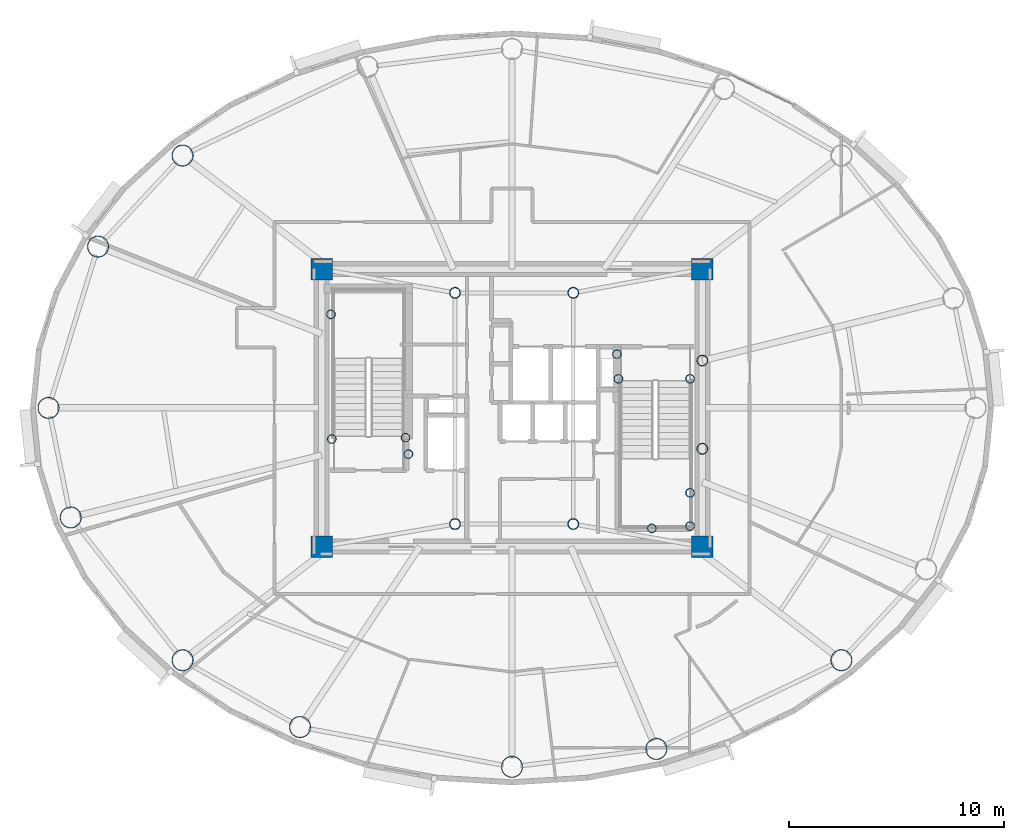
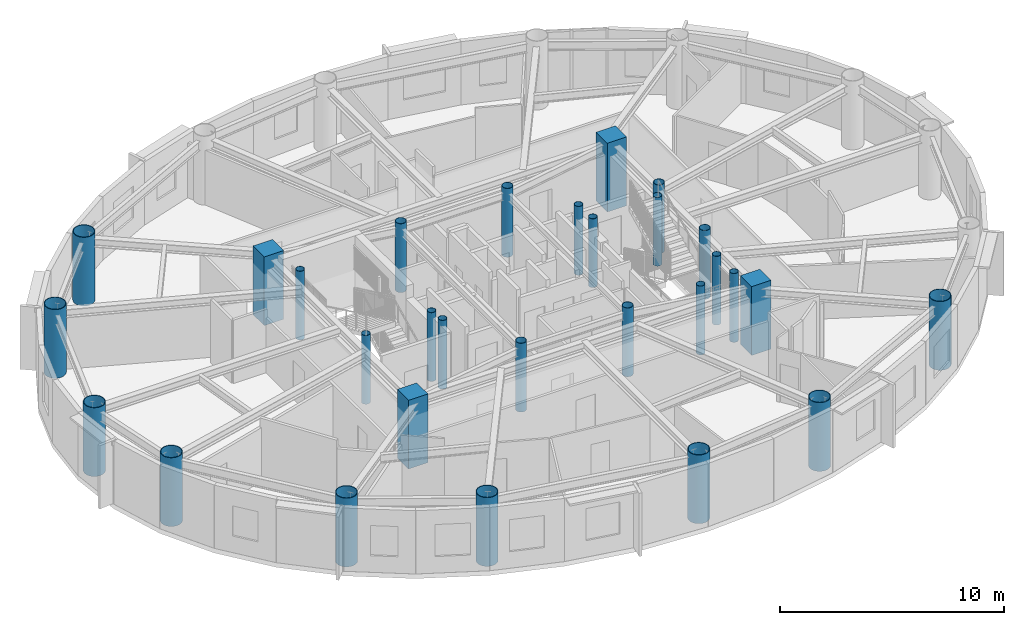
# One storey, part 1 of 17: 29 columns.
"""IFC4 building model written with IfcOpenShell, lengths in metres."""

from ifc_helpers import new_model, si_unit, direction, frame, origin, origin_2d, place, context, subcontext, project, spatial, rectangle, hollow_circle, extrude, material, material_profile, profile_set, type_object, element, save


model = new_model("IFC4")

# Units and contexts
model_context = context("Model", 3, precision=1e-05, world=origin(), true_north=direction((0.0, 1.0)))
body_context = subcontext(model_context, "Body", "Model", "MODEL_VIEW")
ifc_project = project(units=[si_unit("LENGTHUNIT", "METRE"), si_unit("AREAUNIT", "SQUARE_METRE"), si_unit("VOLUMEUNIT", "CUBIC_METRE"), si_unit("PLANEANGLEUNIT", "RADIAN"), si_unit("MASSUNIT", "GRAM", prefix="KILO")], contexts=[model_context])

# Site, building, storey
site_placement = place(None, origin())
site = spatial("IfcSite", under=ifc_project, at=site_placement, CompositionType="ELEMENT")
building_placement = place(site_placement, origin())
building = spatial("IfcBuilding", under=site, at=building_placement, Name="Linh Dai School and Residence Tower", CompositionType="ELEMENT")
storey_placement = place(building_placement, frame((0.0, 0.0, 314.25)))
storey = spatial("IfcBuildingStorey", under=building, at=storey_placement, Name="L78", CompositionType="ELEMENT", Elevation=314.25)

# Columns
ifc_material_1 = material(Name="Concrete B45 (C35/45)", Category="concrete")
ifc_material_profile_1 = material_profile(ifc_material_1, rectangle(XDim=1.0, YDim=1.0, at=origin_2d()), Name="RC 1000x1000")
ifc_profile_set_1 = profile_set([ifc_material_profile_1], Name="Concrete B45 (C35/45)")
column_type_1 = type_object("IfcColumnType", Name="COL-CC3", PredefinedType="COLUMN", material=ifc_profile_set_1)
for number, where, z_axis, x_axis, name in (
    (1, (27.14990234375, 20.550048828125, 0.0), (0.0, 0.0, 1.0), (1.0, 0.0, 0.0), "L78 Core Corner Pier CC1"),
    (2, (44.85009765625, 20.550048828125, 0.0), (0.0, 0.0, 1.0), (1.0, 0.0, 0.0), "L78 Core Corner Pier CC2"),
    (3, (44.85009765625, 33.449951171875, 0.0), (0.0, 0.0, 1.0), (1.0, 0.0, 0.0), "L78 Core Corner Pier CC3"),
    (4, (27.14990234375, 33.449951171875, 0.0), (0.0, 0.0, 1.0), (1.0, 0.0, 0.0), "L78 Core Corner Pier CC4"),
):
    element("IfcColumn", number, at=place(storey_placement, frame(where, z_axis=z_axis, x_axis=x_axis)), inside=storey, type_object=column_type_1, Name=name, PredefinedType="COLUMN", context=body_context, shape_type="SweptSolid", body=[
        extrude(rectangle(XDim=1.0, YDim=1.0, at=origin_2d()), origin(), (0.0, 0.0, 1.0), 3.75),
    ])
ifc_material_2 = material(Name="Structural Steel S355JR", Category="steel")
ifc_material_profile_2 = material_profile(ifc_material_2, hollow_circle(Radius=0.203125, WallThickness=0.01611328125, at=origin_2d()), Name="CHS 406.4x16")
ifc_profile_set_2 = profile_set([ifc_material_profile_2], Name="Structural Steel S355JR")
column_type_2 = type_object("IfcColumnType", Name="COL-EC", PredefinedType="COLUMN", material=ifc_profile_set_2)
for number, where, z_axis, x_axis, name in (
    (5, (27.580078125, 31.35009765625, 0.0), (0.0, 0.0, 1.0), (1.0, 0.0, 0.0), "L78 Stair Shaft Landing Support Pier ST1NW"),
    (6, (31.050048828125, 25.6201171875, 0.0), (0.0, 0.0, 1.0), (1.0, 0.0, 0.0), "L78 Stair Shaft Landing Support Pier ST1SE"),
    (7, (31.179931640625, 24.85009765625, 0.0), (0.0, 0.0, 1.0), (1.0, 0.0, 0.0), "L78 Stair Shaft Landing Support Pier ST1SM"),
    (8, (27.6201171875, 25.550048828125, 0.0), (0.0, 0.0, 1.0), (1.0, 0.0, 0.0), "L78 Stair Shaft Landing Support Pier ST1SW"),
    (9, (44.280029296875, 21.5, 0.0), (0.0, 0.0, 1.0), (1.0, 0.0, 0.0), "L78 Stair Shaft Landing Support Pier ST2SE"),
    (10, (44.280029296875, 23.050048828125, 0.0), (0.0, 0.0, 1.0), (1.0, 0.0, 0.0), "L78 Stair Shaft Landing Support Pier ST2NE"),
    (11, (42.5, 21.39990234375, 0.0), (0.0, 0.0, 1.0), (1.0, 0.0, 0.0), "L78 Stair Shaft Landing Support Pier ST2MS"),
    (12, (40.949951171875, 28.35009765625, 0.0), (0.0, 0.0, 1.0), (1.0, 0.0, 0.0), "L78 Stair Shaft Landing Support Pier ST2N1"),
    (13, (44.280029296875, 28.35009765625, 0.0), (0.0, 0.0, 1.0), (1.0, 0.0, 0.0), "L78 Stair Shaft Landing Support Pier ST2N2"),
    (14, (40.8798828125, 29.5, 0.0), (0.0, 0.0, 1.0), (1.0, 0.0, 0.0), "L78 Stair Shaft Landing Support Pier ST2N3"),
):
    element("IfcColumn", number, at=place(storey_placement, frame(where, z_axis=z_axis, x_axis=x_axis)), inside=storey, type_object=column_type_2, Name=name, PredefinedType="COLUMN", context=body_context, shape_type="SweptSolid", body=[
        extrude(hollow_circle(Radius=0.203125, WallThickness=0.01611328125, at=origin_2d()), origin(), (0.0, 0.0, 1.0), 3.75),
    ])
ifc_material_profile_3 = material_profile(ifc_material_2, hollow_circle(Radius=0.5, WallThickness=0.031982421875, at=origin_2d()), Name="CHS 1000x32")
ifc_profile_set_3 = profile_set([ifc_material_profile_3], Name="Structural Steel S355JR")
column_type_3 = type_object("IfcColumnType", Name="COL-MC6", PredefinedType="COLUMN", material=ifc_profile_set_3)
for number, where, z_axis, x_axis, name in (
    (15, (20.684814453125, 38.7333984375, 0.0), (0.0, 0.0, 1.0), (1.0, 0.0, 0.0), "L78 Perimeter CFT Mega-Column MC07"),
    (16, (16.75390625, 34.49951171875, 0.0), (0.0, 0.0, 1.0), (1.0, 0.0, 0.0), "L78 Perimeter CFT Mega-Column MC08"),
    (17, (14.449951171875, 27.0, 0.0), (0.0, 0.0, 1.0), (1.0, 0.0, 0.0), "L78 Perimeter CFT Mega-Column MC09"),
    (18, (15.4814453125, 21.905517578125, 0.0), (0.0, 0.0, 1.0), (1.0, 0.0, 0.0), "L78 Perimeter CFT Mega-Column MC10"),
    (19, (20.684814453125, 15.2666015625, 0.0), (0.0, 0.0, 1.0), (1.0, 0.0, 0.0), "L78 Perimeter CFT Mega-Column MC11"),
    (20, (26.1455078125, 12.1611328125, 0.0), (0.0, 0.0, 1.0), (1.0, 0.0, 0.0), "L78 Perimeter CFT Mega-Column MC12"),
    (21, (36.0, 10.31005859375, 0.0), (0.0, 0.0, 1.0), (1.0, 0.0, 0.0), "L78 Perimeter CFT Mega-Column MC13"),
    (22, (42.71240234375, 11.142333984375, 0.0), (0.0, 0.0, 1.0), (1.0, 0.0, 0.0), "L78 Perimeter CFT Mega-Column MC14"),
    (23, (51.315185546875, 15.2666015625, 0.0), (0.0, 0.0, 1.0), (1.0, 0.0, 0.0), "L78 Perimeter CFT Mega-Column MC15"),
):
    element("IfcColumn", number, at=place(storey_placement, frame(where, z_axis=z_axis, x_axis=x_axis)), inside=storey, type_object=column_type_3, Name=name, PredefinedType="COLUMN", context=body_context, shape_type="SweptSolid", body=[
        extrude(hollow_circle(Radius=0.5, WallThickness=0.031982421875, at=origin_2d()), origin(), (0.0, 0.0, 1.0), 3.75),
    ])
ifc_material_profile_4 = material_profile(ifc_material_2, hollow_circle(Radius=0.25390625, WallThickness=0.02001953125, at=origin_2d()), Name="CHS 508x20")
ifc_profile_set_4 = profile_set([ifc_material_profile_4], Name="Structural Steel S355JR")
column_type_4 = type_object("IfcColumnType", Name="COL-MCP", PredefinedType="COLUMN", material=ifc_profile_set_4)
for number, where, z_axis, x_axis, name in (
    (24, (33.35009765625, 21.60009765625, 0.0), (0.0, 0.0, 1.0), (1.0, 0.0, 0.0), "L78 Core Mast Support Pier MCP1"),
    (25, (38.85009765625, 21.60009765625, 0.0), (0.0, 0.0, 1.0), (1.0, 0.0, 0.0), "L78 Core Mast Support Pier MCP2"),
    (26, (38.85009765625, 32.35009765625, 0.0), (0.0, 0.0, 1.0), (1.0, 0.0, 0.0), "L78 Core Mast Support Pier MCP3"),
    (27, (33.35009765625, 32.35009765625, 0.0), (0.0, 0.0, 1.0), (1.0, 0.0, 0.0), "L78 Core Mast Support Pier MCP4"),
    (28, (44.85009765625, 25.10009765625, 0.0), (0.0, 0.0, 1.0), (1.0, 0.0, 0.0), "L78 Sky-Lounge Core Anchor Pier S"),
    (29, (44.85009765625, 29.199951171875, 0.0), (0.0, 0.0, 1.0), (1.0, 0.0, 0.0), "L78 Sky-Lounge Core Anchor Pier N"),
):
    element("IfcColumn", number, at=place(storey_placement, frame(where, z_axis=z_axis, x_axis=x_axis)), inside=storey, type_object=column_type_4, Name=name, PredefinedType="COLUMN", context=body_context, shape_type="SweptSolid", body=[
        extrude(hollow_circle(Radius=0.25390625, WallThickness=0.02001953125, at=origin_2d()), origin(), (0.0, 0.0, 1.0), 3.75),
    ])

save(model, "model.ifc")
